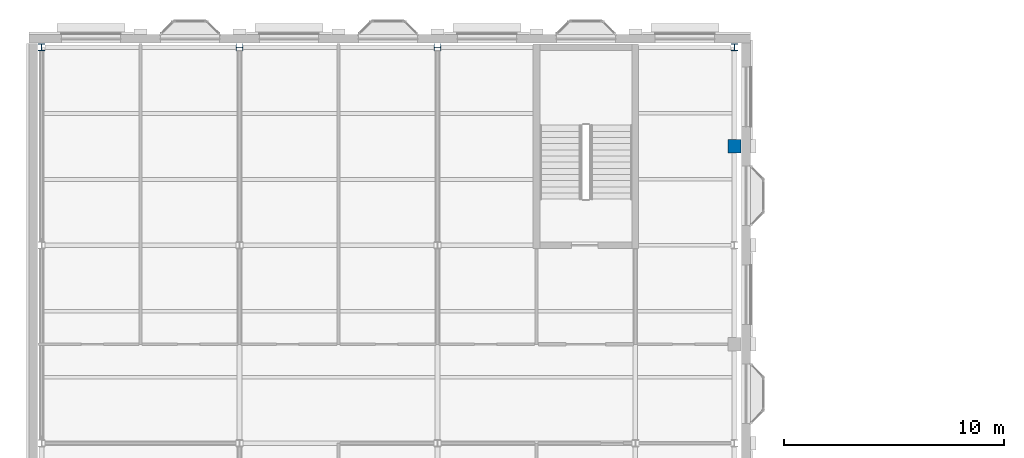
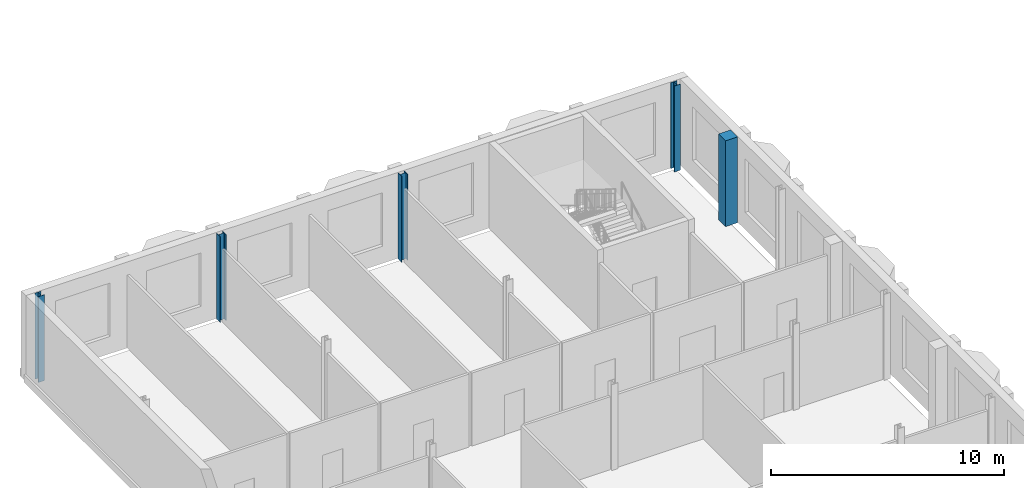
# One storey, part 5 of 59: 5 columns.
"""IFC4 building model written with IfcOpenShell, lengths in metres."""

from ifc_helpers import new_model, si_unit, direction, frame, origin, origin_2d, place, context, subcontext, project, spatial, rectangle, i_section, extrude, material, material_profile, profile_set, type_object, element, save


model = new_model("IFC4")

# Units and contexts
model_context = context("Model", 3, precision=1e-05, world=origin(), true_north=direction((0.0, 1.0)))
body_context = subcontext(model_context, "Body", "Model", "MODEL_VIEW")
ifc_project = project(units=[si_unit("LENGTHUNIT", "METRE"), si_unit("AREAUNIT", "SQUARE_METRE"), si_unit("VOLUMEUNIT", "CUBIC_METRE"), si_unit("PLANEANGLEUNIT", "RADIAN"), si_unit("MASSUNIT", "GRAM", prefix="KILO")], contexts=[model_context])

# Site, building, storey
site_placement = place(None, origin())
site = spatial("IfcSite", under=ifc_project, at=site_placement, CompositionType="ELEMENT")
building_placement = place(site_placement, origin())
building = spatial("IfcBuilding", under=site, at=building_placement, Name="Hortulan Conservatory and Botanical Research Centre", CompositionType="ELEMENT")
storey_placement = place(building_placement, frame((0.0, 0.0, 10.5)))
storey = spatial("IfcBuildingStorey", under=building, at=storey_placement, Name="L02", CompositionType="ELEMENT", Elevation=10.5)

# Columns
ifc_material_1 = material(Name="Sandstone masonry (25 MPa, AS 3700)", Category="masonry")
ifc_material_profile_1 = material_profile(ifc_material_1, rectangle(XDim=0.60009765625, YDim=0.60009765625, at=origin_2d()), Name="Square pier 600")
ifc_profile_set_1 = profile_set([ifc_material_profile_1], Name="Sandstone masonry (25 MPa, AS 3700)")
column_type_1 = type_object("IfcColumnType", Name="Sandstone Arcade Pier 600x600", PredefinedType="COLUMN", material=ifc_profile_set_1)
column_placement = place(storey_placement, frame((31.5, 67.5, 0.0), z_axis=(0.0, 0.0, 1.0), x_axis=(1.0, 0.0, 0.0)))
element("IfcColumn", 1, at=column_placement, inside=storey, type_object=column_type_1, Name="Sandstone arcade pier P-31.5-67.5 L02", PredefinedType="COLUMN", context=body_context, shape_type="SweptSolid", body=[
    extrude(rectangle(XDim=0.60009765625, YDim=0.60009765625, at=origin_2d()), origin(), (0.0, 0.0, 1.0), 4.5),
])
ifc_material_2 = material(Name="Steel Grade 300PLUS (AS/NZS 3679.1, 280 MPa minimum yield)", Category="steel")
ifc_material_profile_2 = material_profile(ifc_material_2, i_section(OverallWidth=0.306884765625, OverallDepth=0.31494140625, WebThickness=0.011962890625, FlangeThickness=0.018798828125, FilletRadius=0.0166015625, at=origin_2d()), Name="310UC118")
ifc_profile_set_2 = profile_set([ifc_material_profile_2], Name="Steel Grade 300PLUS (AS/NZS 3679.1, 280 MPa minimum yield)")
column_type_2 = type_object("IfcColumnType", Name="Visitor Centre Column 310UC118", PredefinedType="COLUMN", material=ifc_profile_set_2)
for number, where, z_axis, x_axis, name in (
    (2, (0.0, 72.0, 0.0), (0.0, 0.0, 1.0), (1.0, 0.0, 0.0), "310UC118 column"),
    (3, (9.0, 72.0, 0.0), (0.0, 0.0, 1.0), (0.0, 1.0, 0.0), "310UC118 column"),
    (4, (18.0, 72.0, 0.0), (0.0, 0.0, 1.0), (0.0, 1.0, 0.0), "310UC118 column"),
    (5, (31.5, 72.0, 0.0), (0.0, 0.0, 1.0), (1.0, 0.0, 0.0), "310UC118 column"),
):
    element("IfcColumn", number, at=place(storey_placement, frame(where, z_axis=z_axis, x_axis=x_axis)), inside=storey, type_object=column_type_2, Name=name, PredefinedType="COLUMN", context=body_context, shape_type="SweptSolid", body=[
        extrude(i_section(OverallWidth=0.306884765625, OverallDepth=0.31494140625, WebThickness=0.011962890625, FlangeThickness=0.018798828125, FilletRadius=0.0166015625, at=origin_2d()), origin(), (0.0, 0.0, 1.0), 4.5),
    ])

save(model, "model.ifc")
